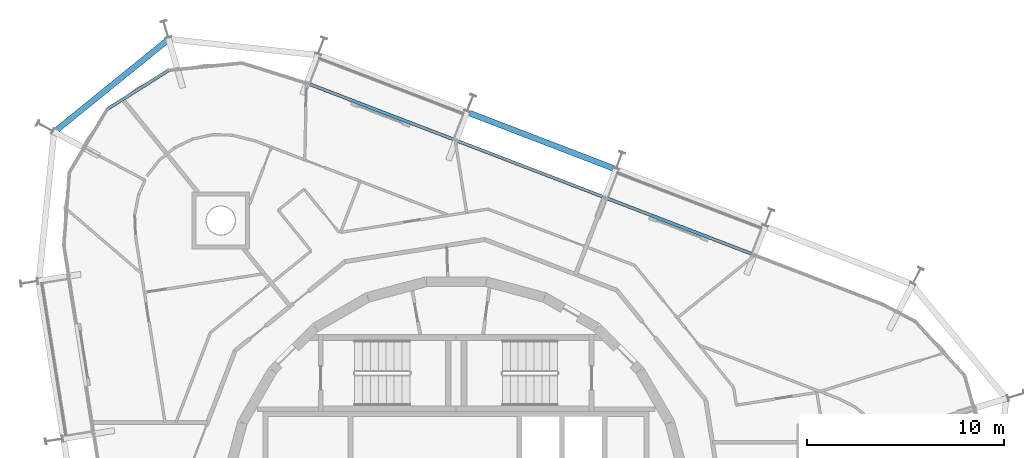
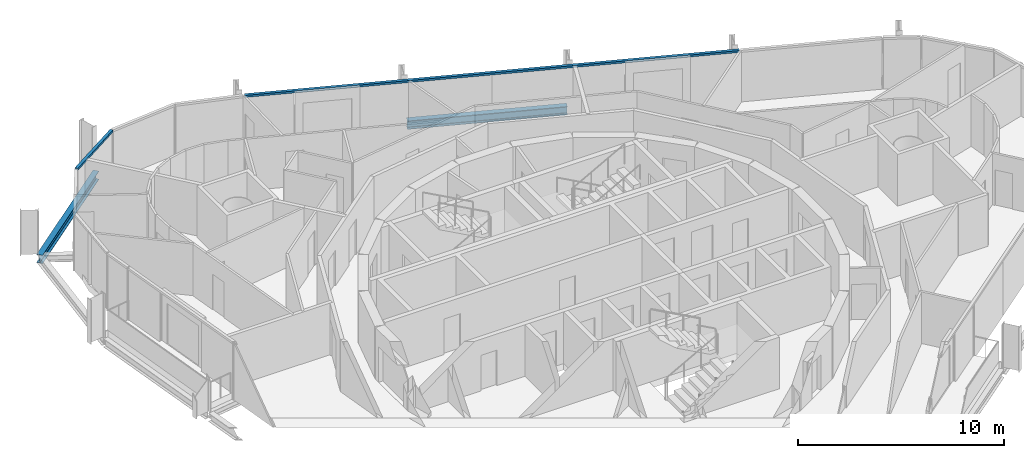
# One storey, part 7 of 17: 2 beams, 2 members, 2 elements without a shape of their own.
"""IFC4 building model written with IfcOpenShell, lengths in metres."""

import ifcopenshell
import ifcopenshell.guid

model = None  # the IFC model being written
_history = None  # IfcOwnerHistory: only IFC2X3 demands one
_inside = {}  # id of a spatial element -> (the spatial element, [elements in it])
_under = {}  # id of a project, library or spatial element -> (it, [spatial elements below it])
_declared = {}  # id of a project -> (the project, [libraries it declares])
_typed = {}  # id of a type object -> (the type object, [elements of that type])
_made_of = {}  # id of a material, layer set ... -> (it, [elements and type objects made of it])


def new_model(schema):
    """Start an empty IFC model of exactly this schema.

    Asked for "IFC4X3", IfcOpenShell would pick the latest addendum, in which some entities
    have other attributes; the version numbers below select the first issue.
    IFC2X3 requires an IfcOwnerHistory on every rooted entity: one is made here for all.
    """
    global model, _history
    if schema == "IFC4X3":
        model = ifcopenshell.file(schema_version=(4, 3, 0, 0))
    else:
        model = ifcopenshell.file(schema=schema)
    _inside.clear()
    _under.clear()
    _declared.clear()
    _typed.clear()
    _made_of.clear()
    _history = None
    if model.schema == "IFC2X3":
        org = make("IfcOrganization", Name="unknown")
        user = make(
            "IfcPersonAndOrganization",
            ThePerson=make("IfcPerson", FamilyName="unknown"),
            TheOrganization=org,
        )
        app = make(
            "IfcApplication",
            ApplicationDeveloper=org,
            Version="unknown",
            ApplicationFullName="unknown",
            ApplicationIdentifier="unknown",
        )
        _history = make(
            "IfcOwnerHistory",
            OwningUser=user,
            OwningApplication=app,
            ChangeAction="ADDED",
            CreationDate=0,
        )
    return model


def make(cls, **values):
    """One entity of the class cls with the attributes given. An attribute that is None is left unset."""
    return model.create_entity(
        cls, **{name: value for name, value in values.items() if value is not None}
    )


def rooted(cls, **values):
    """An entity with a GlobalId (a new one), such as an element, a storey or a relation."""
    return make(cls, GlobalId=ifcopenshell.guid.new(), OwnerHistory=_history, **values)


def si_unit(unit_type, name, prefix=None):
    """IfcSIUnit, for example si_unit("LENGTHUNIT", "METRE", prefix="MILLI")."""
    return make("IfcSIUnit", UnitType=unit_type, Prefix=prefix, Name=name)


def assignment(units):
    """IfcUnitAssignment: the units of a project."""
    return None if units is None else make("IfcUnitAssignment", Units=units)


def point(xyz):
    """IfcCartesianPoint."""
    return None if xyz is None else make("IfcCartesianPoint", Coordinates=xyz)


def direction(xyz):
    """IfcDirection."""
    return None if xyz is None else make("IfcDirection", DirectionRatios=xyz)


def frame(location, z_axis=None, x_axis=None):
    """IfcAxis2Placement3D, a coordinate frame: its origin and axes. An axis left out is left unset."""
    return make(
        "IfcAxis2Placement3D",
        Location=point(location),
        Axis=direction(z_axis),
        RefDirection=direction(x_axis),
    )


def frame_2d(location, x_axis=None):
    """IfcAxis2Placement2D, a coordinate frame in the plane: its origin and x axis."""
    return make(
        "IfcAxis2Placement2D", Location=point(location), RefDirection=direction(x_axis)
    )


def origin():
    """The frame at (0, 0, 0) with its axes left unset."""
    return frame((0.0, 0.0, 0.0))


def origin_2d():
    """The frame at (0, 0) in the plane with its x axis left unset."""
    return frame_2d((0.0, 0.0))


def place(relative_to, where):
    """IfcLocalPlacement: puts the frame where relative to a parent placement (None: the world)."""
    return make(
        "IfcLocalPlacement", PlacementRelTo=relative_to, RelativePlacement=where
    )


def context(
    kind, dimensions, precision=None, world=None, true_north=None, identifier=None
):
    """IfcGeometricRepresentationContext, for example the 3D "Model" context."""
    return make(
        "IfcGeometricRepresentationContext",
        ContextIdentifier=identifier,
        ContextType=kind,
        CoordinateSpaceDimension=dimensions,
        Precision=precision,
        WorldCoordinateSystem=world,
        TrueNorth=true_north,
    )


def subcontext(parent, identifier, kind, view, scale=None):
    """IfcGeometricRepresentationSubContext, for example "Body" below "Model"."""
    return make(
        "IfcGeometricRepresentationSubContext",
        ContextIdentifier=identifier,
        ContextType=kind,
        ParentContext=parent,
        TargetScale=scale,
        TargetView=view,
    )


def project(units=None, contexts=None):
    """IfcProject with its units and contexts."""
    return rooted(
        "IfcProject",
        Name="project",
        RepresentationContexts=contexts,
        UnitsInContext=assignment(units),
    )


def spatial(cls, under=None, at=None, **own):
    """A site, building, storey or space (cls), placed at a placement, below another one or the project."""
    s = rooted(cls, ObjectPlacement=at, **own)
    if under is not None:
        _under.setdefault(under.id(), (under, []))[1].append(s)
    return s


def profile(cls, at=None, kind="AREA", **sizes):
    """A parametric profile (cls). Its sizes go by their IFC names, for example OverallWidth=200.0."""
    return make(cls, ProfileType=kind, Position=at, **sizes)


def rectangle(**sizes):
    """IfcRectangleProfileDef."""
    return profile("IfcRectangleProfileDef", **sizes)


def i_section(**sizes):
    """IfcIShapeProfileDef."""
    return profile("IfcIShapeProfileDef", **sizes)


def extrude(swept, where, along, depth):
    """IfcExtrudedAreaSolid: the profile swept, set in the frame where, extruded along a direction by depth."""
    return make(
        "IfcExtrudedAreaSolid",
        SweptArea=swept,
        Position=where,
        ExtrudedDirection=direction(along),
        Depth=depth,
    )


def shape(context_of_items, identifier, shape_type, items):
    """IfcShapeRepresentation: the items that make up one representation, for example the "Body"."""
    return make(
        "IfcShapeRepresentation",
        ContextOfItems=context_of_items,
        RepresentationIdentifier=identifier,
        RepresentationType=shape_type,
        Items=items,
    )


def material(Name=None, Category=None):
    """IfcMaterial."""
    return make("IfcMaterial", Name=Name, Category=Category)


def layer(
    of_material, thickness, ventilated=None, Name=None, Category=None, Priority=None
):
    """IfcMaterialLayer: one layer of a wall or slab, of a material (None: an air gap)."""
    return make(
        "IfcMaterialLayer",
        Material=of_material,
        LayerThickness=thickness,
        IsVentilated=ventilated,
        Name=Name,
        Category=Category,
        Priority=Priority,
    )


def layer_set(layers, Name=None):
    """IfcMaterialLayerSet."""
    return make("IfcMaterialLayerSet", MaterialLayers=layers, LayerSetName=Name)


def material_profile(
    of_material, cross_section, Name=None, Category=None, Priority=None
):
    """IfcMaterialProfile: a cross section and its material."""
    return make(
        "IfcMaterialProfile",
        Name=Name,
        Material=of_material,
        Profile=cross_section,
        Priority=Priority,
        Category=Category,
    )


def profile_set(profiles, Name=None, composite=None):
    """IfcMaterialProfileSet."""
    return make(
        "IfcMaterialProfileSet",
        Name=Name,
        MaterialProfiles=profiles,
        CompositeProfile=composite,
    )


def made_of(thing, what):
    """Note that an element or type object is made of a material, layer set ...; save() writes the relation."""
    if what is not None:
        _made_of.setdefault(what.id(), (what, []))[1].append(thing)
    return thing


def type_object(cls, material=None, **own):
    """A type object (cls), such as IfcWallType, which elements share."""
    return made_of(rooted(cls, **own), material)


def element(
    cls,
    number,
    at=None,
    inside=None,
    cuts=None,
    type_object=None,
    material=None,
    context=None,
    identifier="Body",
    shape_type=None,
    held_by="IfcProductDefinitionShape",
    body=None,
    shapes=None,
    **own,
):
    """One element of the class cls, such as IfcWall. Its Tag is "e" and its number.

    at: its placement. inside: the storey or other place that contains it. cuts: it is an
    opening in that element (IfcRelVoidsElement). A single representation is given by context,
    identifier, shape_type and body (its items); several are given by shapes. held_by: the class
    of the entity that holds the representations. save() writes the other relations.
    """
    e = rooted(cls, Tag="e%d" % number, ObjectPlacement=at, **own)
    if body is not None:
        shapes = [shape(context, identifier, shape_type, body)]
    if shapes is not None:
        e.Representation = make(held_by, Representations=shapes)
    if inside is not None:
        _inside.setdefault(inside.id(), (inside, []))[1].append(e)
    if cuts is not None:
        rooted(
            "IfcRelVoidsElement", RelatingBuildingElement=cuts, RelatedOpeningElement=e
        )
    if type_object is not None:
        _typed.setdefault(type_object.id(), (type_object, []))[1].append(e)
    return made_of(e, material)


def aggregate(whole, parts):
    """IfcRelAggregates: a whole, such as a stair, and the parts it consists of."""
    return rooted("IfcRelAggregates", RelatingObject=whole, RelatedObjects=parts)


def save(model, path):
    """Write the relations noted so far, then the file.

    IfcRelAggregates (storeys below a building ...), IfcRelContainedInSpatialStructure (elements
    in a storey), IfcRelDefinesByType, IfcRelAssociatesMaterial and IfcRelDeclares: one each for
    every whole, place, type object, material and project.
    """
    for whole, parts in _under.values():
        aggregate(whole, parts)
    for where, things in _inside.values():
        rooted(
            "IfcRelContainedInSpatialStructure",
            RelatedElements=things,
            RelatingStructure=where,
        )
    for kind, things in _typed.values():
        rooted("IfcRelDefinesByType", RelatedObjects=things, RelatingType=kind)
    for what, things in _made_of.values():
        rooted("IfcRelAssociatesMaterial", RelatedObjects=things, RelatingMaterial=what)
    for by, libraries in _declared.values():
        rooted("IfcRelDeclares", RelatingContext=by, RelatedDefinitions=libraries)
    model.write(path)


model = new_model("IFC4")

# Units and contexts
model_context = context("Model", 3, precision=1e-05, world=origin(), true_north=direction((0.0, 1.0)))
body_context = subcontext(model_context, "Body", "Model", "MODEL_VIEW")
ifc_project = project(units=[si_unit("LENGTHUNIT", "METRE"), si_unit("AREAUNIT", "SQUARE_METRE"), si_unit("VOLUMEUNIT", "CUBIC_METRE"), si_unit("PLANEANGLEUNIT", "RADIAN"), si_unit("MASSUNIT", "GRAM", prefix="KILO")], contexts=[model_context])

# Site, building, storey
site_placement = place(None, origin())
site = spatial("IfcSite", under=ifc_project, at=site_placement, CompositionType="ELEMENT")
building_placement = place(site_placement, origin())
building = spatial("IfcBuilding", under=site, at=building_placement, Name="Spindle Arch Residences", CompositionType="ELEMENT")
storey_placement = place(building_placement, frame((0.0, 0.0, 287.89990234375)))
storey = spatial("IfcBuildingStorey", under=building, at=storey_placement, Name="L74", CompositionType="ELEMENT", Elevation=287.89990234375)

# Curtain wall, member
ifc_material_1 = material(Name="Aluminium bronze unitised frame with tinted glass", Category="aluminium")
ifc_layer_1 = layer(ifc_material_1, 0.159912109375)
ifc_layer_set_1 = layer_set([ifc_layer_1], Name="CW-C typical residential unitised wall")
curtain_wall_type_1 = type_object("IfcCurtainWallType", Name="CW-C typical residential unitised wall", PredefinedType="NOTDEFINED", material=ifc_layer_set_1)
curtain_wall_1_placement = place(storey_placement, origin())
curtain_wall_1 = element("IfcCurtainWall", 1, at=curtain_wall_1_placement, inside=storey, type_object=curtain_wall_type_1, Name="CW-C L74 run 2", PredefinedType="NOTDEFINED")
ifc_material_2 = material(Name="Aluminium bronze anodised transom", Category="aluminium")
ifc_material_profile_1 = material_profile(ifc_material_2, rectangle(XDim=0.159912109375, YDim=0.1201171875, at=origin_2d()), Name="TR 120x160")
ifc_profile_set_1 = profile_set([ifc_material_profile_1], Name="Aluminium bronze anodised transom")
member_type = type_object("IfcMemberType", Name="Bronze transom 120x160", PredefinedType="USERDEFINED", material=ifc_profile_set_1)
member_1_placement = place(storey_placement, frame((15.1015625, 13.0302734375, 2.989990234375), z_axis=(-0.933583473728, 0.358360011138, 0.0), x_axis=(-0.358360011138, -0.933583473728, 0.0)))
member_1 = element("IfcMember", 2, at=member_1_placement, type_object=member_type, Name="CW-C transom 00", ObjectType="TRANSOM", PredefinedType="USERDEFINED", context=body_context, shape_type="SweptSolid", body=[
    extrude(rectangle(XDim=0.159912109375, YDim=0.1201171875, at=origin_2d()), origin(), (0.0, 0.0, 1.0), 24.262939453125),
])
aggregate(curtain_wall_1, [member_1])

ifc_material_3 = material(Name="Aluminium bronze unitised frame with tinted glass", Category="aluminium")
ifc_layer_2 = layer(ifc_material_3, 0.159912109375)
ifc_layer_set_2 = layer_set([ifc_layer_2], Name="CW-D corner wall on the fillet arcs")
curtain_wall_type_2 = type_object("IfcCurtainWallType", Name="CW-D corner wall on the fillet arcs", PredefinedType="NOTDEFINED", material=ifc_layer_set_2)
curtain_wall_2_placement = place(storey_placement, origin())
curtain_wall_2 = element("IfcCurtainWall", 3, at=curtain_wall_2_placement, inside=storey, type_object=curtain_wall_type_2, Name="CW-D L74 run 3", PredefinedType="NOTDEFINED")
member_2_placement = place(storey_placement, frame((-14.608642578125, 22.38427734375, 2.989990234375), z_axis=(-0.844958488621, -0.53483189182, 0.0), x_axis=(0.53483189182, -0.844958488621, 0.0)))
member_2 = element("IfcMember", 4, at=member_2_placement, type_object=member_type, Name="CW-D transom 02", ObjectType="TRANSOM", PredefinedType="USERDEFINED", context=body_context, shape_type="SweptSolid", body=[
    extrude(rectangle(XDim=0.159912109375, YDim=0.1201171875, at=origin_2d()), origin(), (0.0, 0.0, 1.0), 3.6669921875),
])
aggregate(curtain_wall_2, [member_2])

# Beams
ifc_material_4 = material(Name="Steel S460ML, intumescent coating R 120", Category="steel")
ifc_material_profile_2 = material_profile(ifc_material_4, i_section(OverallWidth=0.300048828125, OverallDepth=0.5, WebThickness=0.014404296875, FlangeThickness=0.028076171875, FilletRadius=0.027099609375, at=origin_2d()), Name="HEB 500")
ifc_profile_set_2 = profile_set([ifc_material_profile_2], Name="Steel S460ML, intumescent coating R 120")
beam_type = type_object("IfcBeamType", Name="Exoskeleton edge beam HEB 500", PredefinedType="BEAM", material=ifc_profile_set_2)
beam_1_placement = place(storey_placement, frame((7.990966796875, 17.4091796875, -0.6298828125), z_axis=(-0.933573929793, 0.358384873579, 0.0), x_axis=(-0.358384873579, -0.933573929793, 0.0)))
element("IfcBeam", 5, at=beam_1_placement, inside=storey, type_object=beam_type, Name="Exoskeleton edge beam 7", PredefinedType="BEAM", context=body_context, shape_type="SweptSolid", body=[
    extrude(i_section(OverallWidth=0.300048828125, OverallDepth=0.5, WebThickness=0.014404296875, FlangeThickness=0.028076171875, FilletRadius=0.027099609375, at=origin_2d()), origin(), (0.0, 0.0, 1.0), 7.84765625),
])
beam_2_placement = place(storey_placement, frame((-14.536376953125, 24.014404296875, -0.6298828125), z_axis=(-0.777131622496, -0.62933809778, 0.0), x_axis=(0.62933809778, -0.777131622496, 0.0)))
element("IfcBeam", 6, at=beam_2_placement, inside=storey, type_object=beam_type, Name="Exoskeleton edge beam 10", PredefinedType="BEAM", context=body_context, shape_type="SweptSolid", body=[
    extrude(i_section(OverallWidth=0.300048828125, OverallDepth=0.5, WebThickness=0.014404296875, FlangeThickness=0.028076171875, FilletRadius=0.027099609375, at=origin_2d()), origin(), (0.0, 0.0, 1.0), 7.6318359375),
])

save(model, "model.ifc")
